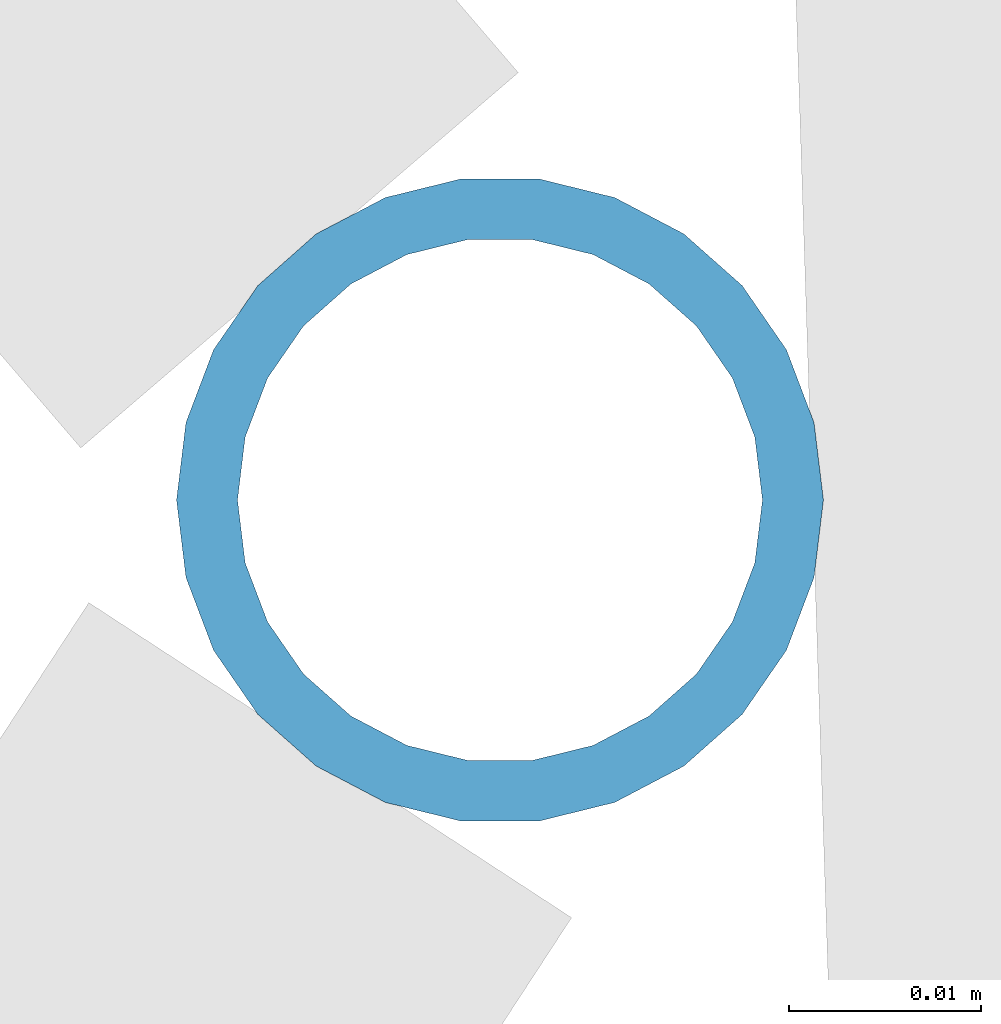
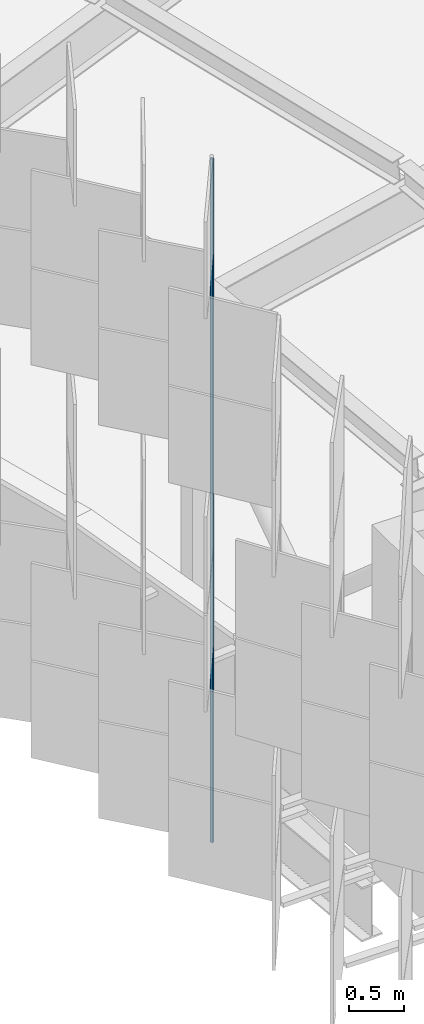
# One storey, part 201 of 483: 1 discrete accessory.
"""IFC4 building model written with IfcOpenShell, lengths in metres."""

from ifc_helpers import new_model, si_unit, direction, frame, origin, origin_2d, place, context, subcontext, project, spatial, hollow_circle, extrude, material, material_profile, profile_set, type_object, element, save


model = new_model("IFC4")

# Units and contexts
model_context = context("Model", 3, precision=1e-05, world=origin(), true_north=direction((0.0, 1.0)))
body_context = subcontext(model_context, "Body", "Model", "MODEL_VIEW")
ifc_project = project(units=[si_unit("LENGTHUNIT", "METRE"), si_unit("AREAUNIT", "SQUARE_METRE"), si_unit("VOLUMEUNIT", "CUBIC_METRE"), si_unit("PLANEANGLEUNIT", "RADIAN"), si_unit("MASSUNIT", "GRAM", prefix="KILO")], contexts=[model_context])

# Site, building, storey
site_placement = place(None, origin())
site = spatial("IfcSite", under=ifc_project, at=site_placement, CompositionType="ELEMENT")
building_placement = place(site_placement, origin())
building = spatial("IfcBuilding", under=site, at=building_placement, Name="Parallax Yard Mobility Hub", CompositionType="ELEMENT")
storey_placement = place(building_placement, frame((0.0, 0.0, 13.199951171875)))
storey = spatial("IfcBuildingStorey", under=building, at=storey_placement, Name="L04", CompositionType="ELEMENT", Elevation=13.199951171875)

# Discrete accessory
ifc_material = material(Name="Steel ASTM A500 Gr C, hot-dip galvanised", Category="steel")
ifc_material_profile = material_profile(ifc_material, hollow_circle(Radius=0.016845703125, WallThickness=0.003173828125, at=origin_2d()), Name="CHS 33.7x3.2")
ifc_profile_set = profile_set([ifc_material_profile], Name="Steel ASTM A500 Gr C, hot-dip galvanised")
discrete_accessory_type = type_object("IfcDiscreteAccessoryType", Name="Hinge post CHS 33.7x3.2", PredefinedType="BRACKET", material=ifc_profile_set)
discrete_accessory_placement = place(storey_placement, frame((193.962158203125, 91.138427734375, 0.0), z_axis=(0.0, 0.0, 1.0), x_axis=(1.0, 0.0, 0.0)))
element("IfcDiscreteAccessory", 1, at=discrete_accessory_placement, inside=storey, type_object=discrete_accessory_type, Name="Hinge post bay 22.6 level L04", PredefinedType="BRACKET", context=body_context, shape_type="SweptSolid", body=[
    extrude(hollow_circle(Radius=0.016845703125, WallThickness=0.003173828125, at=origin_2d()), origin(), (0.0, 0.0, 1.0), 7.650146484375),
])

save(model, "model.ifc")
